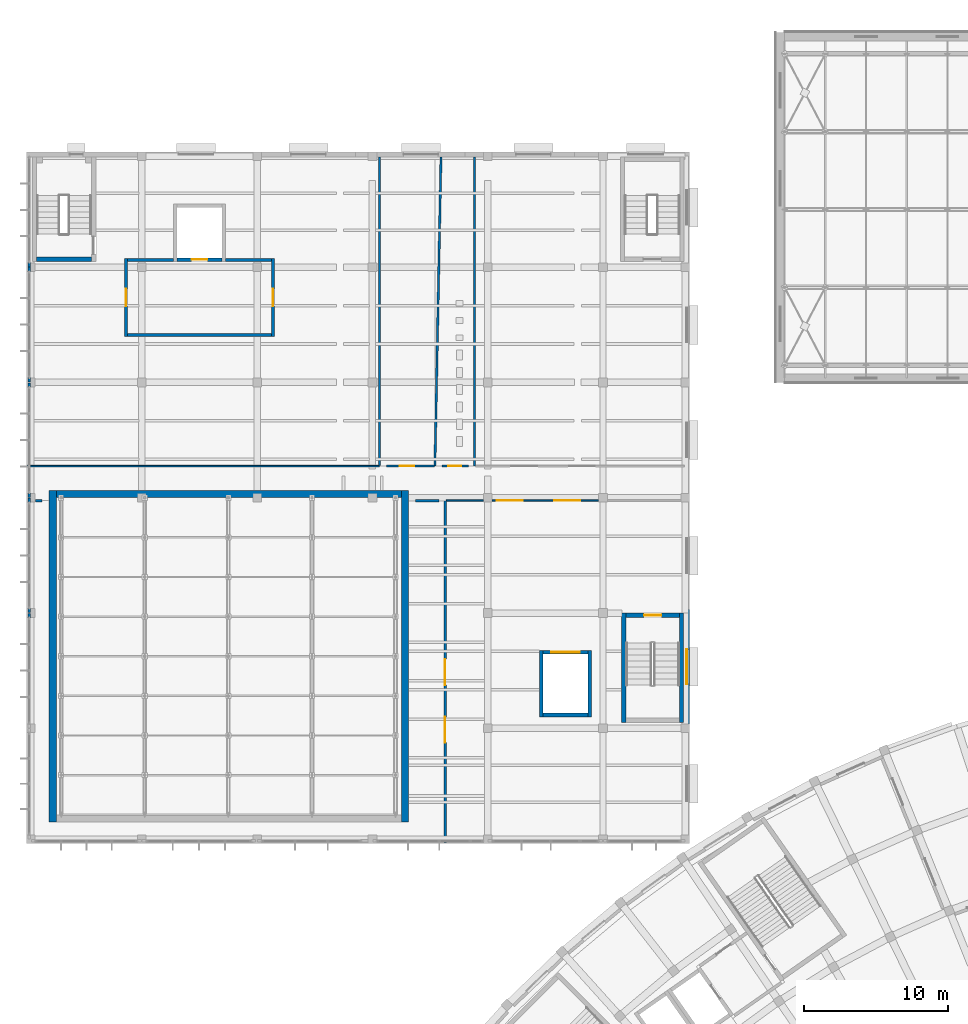
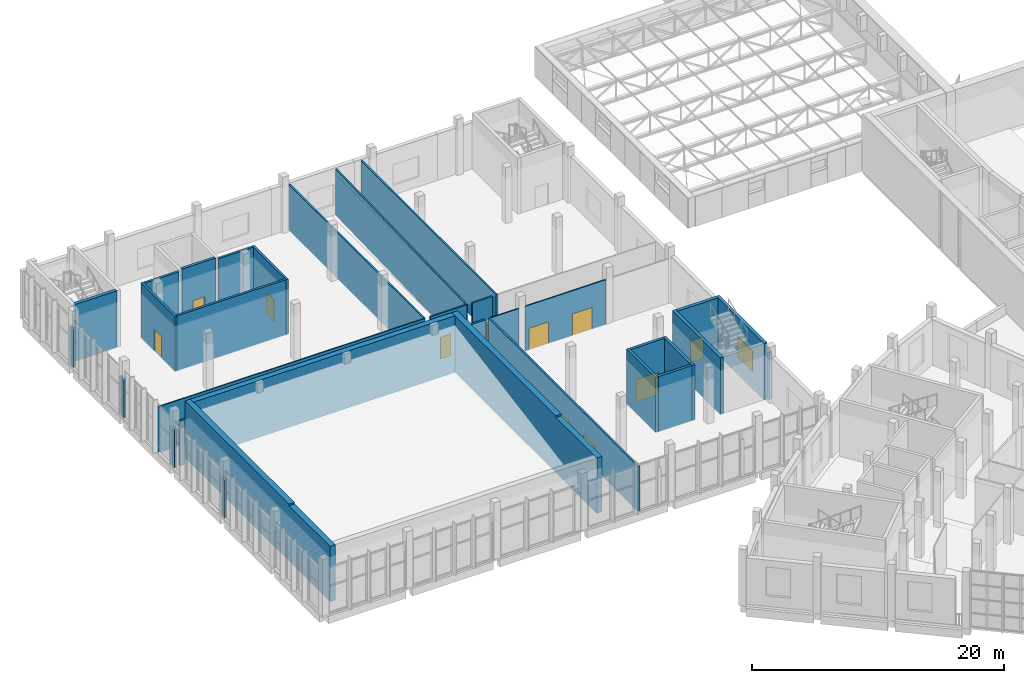
# One storey, part 73 of 132: 37 walls, 11 doors, 1 window, 12 openings.
"""IFC4 building model written with IfcOpenShell, lengths in metres."""

from ifc_helpers import new_model, si_unit, direction, frame, frame_2d, origin, place, context, subcontext, project, spatial, polyline, rectangle, outline, extrude, material, layer, layer_set, type_object, element, fill, save


model = new_model("IFC4")

# Units and contexts
model_context = context("Model", 3, precision=1e-05, world=origin(), true_north=direction((0.0, 1.0)))
body_context = subcontext(model_context, "Body", "Model", "MODEL_VIEW")
ifc_project = project(units=[si_unit("LENGTHUNIT", "METRE"), si_unit("AREAUNIT", "SQUARE_METRE"), si_unit("VOLUMEUNIT", "CUBIC_METRE"), si_unit("PLANEANGLEUNIT", "RADIAN"), si_unit("MASSUNIT", "GRAM", prefix="KILO")], contexts=[model_context])

# Site, building, storey
site_placement = place(None, origin())
site = spatial("IfcSite", under=ifc_project, at=site_placement, CompositionType="ELEMENT")
building_placement = place(site_placement, origin())
building = spatial("IfcBuilding", under=site, at=building_placement, Name="Lunette Opera House", CompositionType="ELEMENT")
storey_placement = place(building_placement, frame((0.0, 0.0, 17.0)))
storey = spatial("IfcBuildingStorey", under=building, at=storey_placement, Name="L03", CompositionType="ELEMENT", Elevation=17.0)

# Wall, openings, doors
ifc_material_1 = material(Name="Plastered clay blockwork", Category="masonry")
ifc_layer_1 = layer(ifc_material_1, 0.175048828125)
ifc_layer_set_1 = layer_set([ifc_layer_1], Name="Plastered clay blockwork")
wall_type_1 = type_object("IfcWallType", Name="ACOUSTIC BLOCK PARTITION 175", PredefinedType="PARTITIONING", material=ifc_layer_set_1)
wall_1_placement = place(storey_placement, frame((37.04296875, 87.800048828125, 0.0), z_axis=(0.0, 0.0, 1.0), x_axis=(0.0, -1.0, 0.0)))
wall_1 = element("IfcWall", 1, at=wall_1_placement, inside=storey, type_object=wall_type_1, Name="Partition Dancers' Warm-up Hall", PredefinedType="PARTITIONING", context=body_context, shape_type="SweptSolid", body=[
    extrude(rectangle(XDim=23.75, YDim=0.175048828125, at=frame_2d((11.875, 0.0))), origin(), (0.0, 0.0, 1.0), 4.35009765625),
])
opening_1_placement = place(wall_1_placement, frame((11.0, 0.0, 0.0)))
opening_1 = element("IfcOpeningElement", 2, at=opening_1_placement, cuts=wall_1, Name="Opening RW-D3036", PredefinedType="OPENING", context=body_context, shape_type="SweptSolid", body=[
    extrude(rectangle(XDim=1.800048828125, YDim=2.10009765625, at=frame_2d((0.89990234375, 1.050048828125))), frame((0.0, 0.099609375, 0.0), z_axis=(0.0, -1.0, 0.0), x_axis=(1.0, 0.0, 0.0)), (0.0, 0.0, 1.0), 0.198974609375),
])
opening_2_placement = place(wall_1_placement, frame((15.0, 0.0, 0.0)))
opening_2 = element("IfcOpeningElement", 3, at=opening_2_placement, cuts=wall_1, Name="Opening RW-D3037", PredefinedType="OPENING", context=body_context, shape_type="SweptSolid", body=[
    extrude(rectangle(XDim=1.800048828125, YDim=2.10009765625, at=frame_2d((0.89990234375, 1.050048828125))), frame((0.0, 0.099609375, 0.0), z_axis=(0.0, -1.0, 0.0), x_axis=(1.0, 0.0, 0.0)), (0.0, 0.0, 1.0), 0.198974609375),
])
ifc_material_2 = material(Name="Timber", Category="wood")
door_type_1 = type_object("IfcDoorType", Name="DOUBLE FLUSH DOOR 1800 X 2100", OperationType="DOUBLE_DOOR_SINGLE_SWING", PredefinedType="DOOR", material=ifc_material_2)
door_1_placement = place(opening_1_placement, origin())
door_1 = element("IfcDoor", 4, at=door_1_placement, inside=storey, type_object=door_type_1, Name="Orchestra Library door", OperationType="DOUBLE_DOOR_SINGLE_SWING", OverallHeight=2.10009765625, OverallWidth=1.800048828125, PredefinedType="DOOR", context=body_context, shape_type="SweptSolid", body=[
    extrude(rectangle(XDim=1.800048828125, YDim=2.10009765625, at=frame_2d((0.89990234375, 1.050048828125))), frame((0.0, 0.02490234375, 0.0), z_axis=(0.0, -1.0, 0.0), x_axis=(1.0, 0.0, 0.0)), (0.0, 0.0, 1.0), 0.050048828125),
])
fill(opening_1, door_1)
door_2_placement = place(opening_2_placement, origin())
door_2 = element("IfcDoor", 5, at=door_2_placement, inside=storey, type_object=door_type_1, Name="Orchestra Library door", OperationType="DOUBLE_DOOR_SINGLE_SWING", OverallHeight=2.10009765625, OverallWidth=1.800048828125, PredefinedType="DOOR", context=body_context, shape_type="SweptSolid", body=[
    extrude(rectangle(XDim=1.800048828125, YDim=2.10009765625, at=frame_2d((0.89990234375, 1.050048828125))), frame((0.0, 0.02490234375, 0.0), z_axis=(0.0, -1.0, 0.0), x_axis=(1.0, 0.0, 0.0)), (0.0, 0.0, 1.0), 0.050048828125),
])
fill(opening_2, door_2)

# Walls
wall_2_placement = place(storey_placement, frame((35.0, 87.800048828125, 0.0), z_axis=(0.0, 0.0, 1.0), x_axis=(1.0, 0.0, 0.0)))
element("IfcWall", 6, at=wall_2_placement, inside=storey, type_object=wall_type_1, Name="Partition Corridor L03 Rehearsal", PredefinedType="PARTITIONING", context=body_context, shape_type="SweptSolid", body=[
    extrude(rectangle(XDim=1.631103515625, YDim=0.175048828125, at=frame_2d((0.8154296875, 0.0))), origin(), (0.0, 0.0, 1.0), 4.35009765625),
])
wall_3_placement = place(storey_placement, frame((8.60107421875, 87.800048828125, 0.0), z_axis=(0.0, 0.0, 1.0), x_axis=(1.0, 0.0, 0.0)))
element("IfcWall", 7, at=wall_3_placement, inside=storey, type_object=wall_type_1, Name="Partition Corridor L03 Rehearsal", PredefinedType="PARTITIONING", context=body_context, shape_type="SweptSolid", body=[
    extrude(rectangle(XDim=0.458984375, YDim=0.175048828125, at=frame_2d((0.2294921875, 0.0))), origin(), (0.0, 0.0, 1.0), 4.35009765625),
])
ifc_material_3 = material(Name="Plastered clay blockwork", Category="masonry")
ifc_layer_2 = layer(ifc_material_3, 0.14990234375)
ifc_layer_set_2 = layer_set([ifc_layer_2], Name="Plastered clay blockwork")
wall_type_2 = type_object("IfcWallType", Name="BLOCK PARTITION 150", PredefinedType="PARTITIONING", material=ifc_layer_set_2)
wall_4_placement = place(storey_placement, frame((32.48095703125, 111.634033203125, 0.0), z_axis=(0.0, 0.0, 1.0), x_axis=(0.0, -1.0, 0.0)))
element("IfcWall", 8, at=wall_4_placement, inside=storey, type_object=wall_type_2, Name="Partition Rehearsal Wing Staff Kitchen", PredefinedType="PARTITIONING", context=body_context, shape_type="SweptSolid", body=[
    extrude(rectangle(XDim=21.383056640625, YDim=0.14990234375, at=frame_2d((10.69140625, 0.0))), origin(), (0.0, 0.0, 1.0), 4.449951171875),
])
wall_5_placement = place(storey_placement, frame((36.3349609375, 90.199951171875, 0.0), z_axis=(0.0, 0.0, 1.0), x_axis=(0.019644475983, 0.999807028663, 0.0)))
element("IfcWall", 9, at=wall_5_placement, inside=storey, type_object=wall_type_2, Name="Partition Rehearsal Wing Staff Kitchen", PredefinedType="PARTITIONING", context=body_context, shape_type="SweptSolid", body=[
    extrude(rectangle(XDim=21.438232421875, YDim=0.14990234375, at=frame_2d((10.71923828125, 0.0))), origin(), (0.0, 0.0, 1.0), 4.449951171875),
])
wall_6_placement = place(storey_placement, frame((39.087890625, 90.199951171875, 0.0), z_axis=(0.0, 0.0, 1.0), x_axis=(0.0, 1.0, 0.0)))
element("IfcWall", 10, at=wall_6_placement, inside=storey, type_object=wall_type_2, Name="Partition Rehearsal Wing WC L03", PredefinedType="PARTITIONING", context=body_context, shape_type="SweptSolid", body=[
    extrude(rectangle(XDim=21.43408203125, YDim=0.14990234375, at=frame_2d((10.717041015625, 0.0))), origin(), (0.0, 0.0, 1.0), 4.449951171875),
])

# Wall, opening, door
wall_7_placement = place(storey_placement, frame((32.98095703125, 90.199951171875, 0.0), z_axis=(0.0, 0.0, 1.0), x_axis=(1.0, 0.0, 0.0)))
wall_7 = element("IfcWall", 11, at=wall_7_placement, inside=storey, type_object=wall_type_2, Name="Partition Rehearsal Wing Staff Kitchen", PredefinedType="PARTITIONING", context=body_context, shape_type="SweptSolid", body=[
    extrude(rectangle(XDim=3.3291015625, YDim=0.14990234375, at=frame_2d((1.66455078125, 0.0))), origin(), (0.0, 0.0, 1.0), 4.449951171875),
])
opening_3_placement = place(wall_7_placement, frame((0.927001953125, 0.0, 0.0)))
opening_3 = element("IfcOpeningElement", 12, at=opening_3_placement, cuts=wall_7, Name="Opening RW-D3038", PredefinedType="OPENING", context=body_context, shape_type="SweptSolid", body=[
    extrude(rectangle(XDim=1.0, YDim=2.10009765625, at=frame_2d((0.5, 1.050048828125))), frame((0.0, 0.0869140625, 0.0), z_axis=(0.0, -1.0, 0.0), x_axis=(1.0, 0.0, 0.0)), (0.0, 0.0, 1.0), 0.173828125),
])
ifc_material_4 = material(Name="Timber", Category="wood")
door_type_2 = type_object("IfcDoorType", Name="FLUSH DOOR 1000 X 2100", OperationType="SINGLE_SWING_LEFT", PredefinedType="DOOR", material=ifc_material_4)
door_3_placement = place(opening_3_placement, origin())
door_3 = element("IfcDoor", 13, at=door_3_placement, inside=storey, type_object=door_type_2, Name="Rehearsal Wing Staff Kitchen door", OperationType="SINGLE_SWING_LEFT", OverallHeight=2.10009765625, OverallWidth=1.0, PredefinedType="DOOR", context=body_context, shape_type="SweptSolid", body=[
    extrude(rectangle(XDim=1.0, YDim=2.10009765625, at=frame_2d((0.5, 1.050048828125))), frame((0.0, 0.02490234375, 0.0), z_axis=(0.0, -1.0, 0.0), x_axis=(1.0, 0.0, 0.0)), (0.0, 0.0, 1.0), 0.050048828125),
])
fill(opening_3, door_3)

wall_8_placement = place(storey_placement, frame((36.81005859375, 90.199951171875, 0.0), z_axis=(0.0, 0.0, 1.0), x_axis=(1.0, 0.0, 0.0)))
wall_8 = element("IfcWall", 14, at=wall_8_placement, inside=storey, type_object=wall_type_2, Name="Partition Rehearsal Wing WC L03", PredefinedType="PARTITIONING", context=body_context, shape_type="SweptSolid", body=[
    extrude(rectangle(XDim=1.85400390625, YDim=0.14990234375, at=frame_2d((0.927001953125, 0.0))), origin(), (0.0, 0.0, 1.0), 4.449951171875),
])
opening_4_placement = place(wall_8_placement, frame((0.450927734375, 0.0, 0.0)))
opening_4 = element("IfcOpeningElement", 15, at=opening_4_placement, cuts=wall_8, Name="Opening RW-D3039", PredefinedType="OPENING", context=body_context, shape_type="SweptSolid", body=[
    extrude(rectangle(XDim=0.89990234375, YDim=2.10009765625, at=frame_2d((0.449951171875, 1.050048828125))), frame((0.0, 0.0869140625, 0.0), z_axis=(0.0, -1.0, 0.0), x_axis=(1.0, 0.0, 0.0)), (0.0, 0.0, 1.0), 0.173828125),
])
ifc_material_5 = material(Name="Timber", Category="wood")
door_type_3 = type_object("IfcDoorType", Name="FLUSH DOOR 900 X 2100", OperationType="SINGLE_SWING_LEFT", PredefinedType="DOOR", material=ifc_material_5)
door_4_placement = place(opening_4_placement, origin())
door_4 = element("IfcDoor", 16, at=door_4_placement, inside=storey, type_object=door_type_3, Name="Rehearsal Wing WC L03 door", OperationType="SINGLE_SWING_LEFT", OverallHeight=2.10009765625, OverallWidth=0.89990234375, PredefinedType="DOOR", context=body_context, shape_type="SweptSolid", body=[
    extrude(rectangle(XDim=0.89990234375, YDim=2.10009765625, at=frame_2d((0.449951171875, 1.050048828125))), frame((0.0, 0.02490234375, 0.0), z_axis=(0.0, -1.0, 0.0), x_axis=(1.0, 0.0, 0.0)), (0.0, 0.0, 1.0), 0.050048828125),
])
fill(opening_4, door_4)

# Walls
ifc_material_6 = material(Name="Insulated aluminium sandwich panel", Category="aluminium")
ifc_layer_3 = layer(ifc_material_6, 0.179931640625)
ifc_layer_set_3 = layer_set([ifc_layer_3], Name="Insulated aluminium sandwich panel")
wall_type_3 = type_object("IfcWallType", Name="CURTAIN WALL INFILL 180", PredefinedType="SOLIDWALL", material=ifc_layer_set_3)
for number, where, z_axis, x_axis, name in (
    (17, (8.181884765625, 104.330078125, 0.0), (0.0, 0.0, 1.0), (0.0, -1.0, 0.0), "Curtain Wall Infill 180 IN85 L03"),
    (18, (8.181884765625, 96.330078125, 0.0), (0.0, 0.0, 1.0), (0.0, -1.0, 0.0), "Curtain Wall Infill 180 IN86 L03"),
):
    element("IfcWall", number, at=place(storey_placement, frame(where, z_axis=z_axis, x_axis=x_axis)), inside=storey, type_object=wall_type_3, Name=name, PredefinedType="SOLIDWALL", context=body_context, shape_type="SweptSolid", body=[
        extrude(rectangle(XDim=0.30517578125, YDim=0.179931640625, at=frame_2d((0.152587890625, 0.0))), origin(), (0.0, 0.0, 1.0), 3.699951171875),
    ])
wall_9_placement = place(storey_placement, frame((8.181884765625, 103.696044921875, 0.0), z_axis=(0.0, 0.0, 1.0), x_axis=(0.0, 1.0, 0.0)))
element("IfcWall", 19, at=wall_9_placement, inside=storey, type_object=wall_type_3, Name="Curtain Wall Infill 180 IN87 L03", PredefinedType="SOLIDWALL", context=body_context, shape_type="SweptSolid", body=[
    extrude(rectangle(XDim=0.304931640625, YDim=0.179931640625, at=frame_2d((0.15234375, 0.0))), origin(), (0.0, 0.0, 1.0), 3.699951171875),
])
for number, where, z_axis, x_axis, name in (
    (20, (8.181884765625, 88.330078125, 0.0), (0.0, 0.0, 1.0), (0.0, -1.0, 0.0), "Curtain Wall Infill 180 IN88 L03"),
    (21, (8.181884765625, 95.669921875, 0.0), (0.0, 0.0, 1.0), (0.0, 1.0, 0.0), "Curtain Wall Infill 180 IN89 L03"),
    (22, (8.181884765625, 80.330078125, 0.0), (0.0, 0.0, 1.0), (0.0, -1.0, 0.0), "Curtain Wall Infill 180 IN90 L03"),
    (23, (8.181884765625, 87.669921875, 0.0), (0.0, 0.0, 1.0), (0.0, 1.0, 0.0), "Curtain Wall Infill 180 IN91 L03"),
    (24, (8.181884765625, 79.669921875, 0.0), (0.0, 0.0, 1.0), (0.0, 1.0, 0.0), "Curtain Wall Infill 180 IN93 L03"),
):
    element("IfcWall", number, at=place(storey_placement, frame(where, z_axis=z_axis, x_axis=x_axis)), inside=storey, type_object=wall_type_3, Name=name, PredefinedType="SOLIDWALL", context=body_context, shape_type="SweptSolid", body=[
        extrude(rectangle(XDim=0.30517578125, YDim=0.179931640625, at=frame_2d((0.152587890625, 0.0))), origin(), (0.0, 0.0, 1.0), 3.699951171875),
    ])

# Wall, opening, door
ifc_material_7 = material(Name="Concrete C35/45", Category="concrete")
ifc_layer_4 = layer(ifc_material_7, 0.199951171875)
ifc_layer_set_4 = layer_set([ifc_layer_4], Name="Concrete C35/45")
wall_type_4 = type_object("IfcWallType", Name="LOBBY WALL 200", PredefinedType="PARTITIONING", material=ifc_layer_set_4)
wall_10_placement = place(storey_placement, frame((25.10009765625, 99.199951171875, 0.0), z_axis=(0.0, 0.0, 1.0), x_axis=(0.0, 1.0, 0.0)))
wall_10 = element("IfcWall", 25, at=wall_10_placement, inside=storey, type_object=wall_type_4, Name="LL-R lobby wall 1a", PredefinedType="PARTITIONING", context=body_context, shape_type="SweptSolid", body=[
    extrude(rectangle(XDim=5.400146484375, YDim=0.199951171875, at=frame_2d((2.7001953125, 0.0))), origin(), (0.0, 0.0, 1.0), 5.35009765625),
])
opening_5_placement = place(wall_10_placement, frame((2.10009765625, 0.0, 0.0)))
opening_5 = element("IfcOpeningElement", 26, at=opening_5_placement, cuts=wall_10, Name="Opening RW-D7025", PredefinedType="OPENING", context=body_context, shape_type="SweptSolid", body=[
    extrude(rectangle(XDim=1.199951171875, YDim=2.10009765625, at=frame_2d((0.60009765625, 1.050048828125))), frame((0.0, 0.112060546875, 0.0), z_axis=(0.0, -1.0, 0.0), x_axis=(1.0, 0.0, 0.0)), (0.0, 0.0, 1.0), 0.223876953125),
])
ifc_material_8 = material(Name="Steel", Category="steel")
door_type_4 = type_object("IfcDoorType", Name="FIRE DOOR 1200 X 2100", OperationType="SINGLE_SWING_LEFT", PredefinedType="DOOR", material=ifc_material_8)
door_5_placement = place(opening_5_placement, origin())
door_5 = element("IfcDoor", 27, at=door_5_placement, inside=storey, type_object=door_type_4, Name="LL-R lobby door", OperationType="SINGLE_SWING_LEFT", OverallHeight=2.10009765625, OverallWidth=1.199951171875, PredefinedType="DOOR", context=body_context, shape_type="SweptSolid", body=[
    extrude(rectangle(XDim=1.199951171875, YDim=2.10009765625, at=frame_2d((0.60009765625, 1.050048828125))), frame((0.0, 0.02490234375, 0.0), z_axis=(0.0, -1.0, 0.0), x_axis=(1.0, 0.0, 0.0)), (0.0, 0.0, 1.0), 0.050048828125),
])
fill(opening_5, door_5)

# Walls
for number, where, z_axis, x_axis, name in (
    (28, (25.0, 104.5, 0.0), (0.0, 0.0, 1.0), (-1.0, 0.0, 0.0), "LL-R lobby wall 2a"),
    (29, (18.179931640625, 104.5, 0.0), (0.0, 0.0, 1.0), (-1.0, 0.0, 0.0), "LL-R lobby wall 2b"),
):
    element("IfcWall", number, at=place(storey_placement, frame(where, z_axis=z_axis, x_axis=x_axis)), inside=storey, type_object=wall_type_4, Name=name, PredefinedType="PARTITIONING", context=body_context, shape_type="SweptSolid", body=[
        extrude(rectangle(XDim=3.179931640625, YDim=0.199951171875, at=frame_2d((1.58984375, 0.0))), origin(), (0.0, 0.0, 1.0), 5.35009765625),
    ])

# Wall, opening, door
wall_11_placement = place(storey_placement, frame((14.89990234375, 104.60009765625, 0.0), z_axis=(0.0, 0.0, 1.0), x_axis=(0.0, -1.0, 0.0)))
wall_11 = element("IfcWall", 30, at=wall_11_placement, inside=storey, type_object=wall_type_4, Name="LL-R lobby wall 3a", PredefinedType="PARTITIONING", context=body_context, shape_type="SweptSolid", body=[
    extrude(rectangle(XDim=5.400146484375, YDim=0.199951171875, at=frame_2d((2.7001953125, 0.0))), origin(), (0.0, 0.0, 1.0), 5.35009765625),
])
opening_6_placement = place(wall_11_placement, frame((2.10009765625, 0.0, 0.0)))
opening_6 = element("IfcOpeningElement", 31, at=opening_6_placement, cuts=wall_11, Name="Opening RW-D7026", PredefinedType="OPENING", context=body_context, shape_type="SweptSolid", body=[
    extrude(rectangle(XDim=1.199951171875, YDim=2.10009765625, at=frame_2d((0.60009765625, 1.050048828125))), frame((0.0, 0.112060546875, 0.0), z_axis=(0.0, -1.0, 0.0), x_axis=(1.0, 0.0, 0.0)), (0.0, 0.0, 1.0), 0.223876953125),
])
door_6_placement = place(opening_6_placement, origin())
door_6 = element("IfcDoor", 32, at=door_6_placement, inside=storey, type_object=door_type_4, Name="LL-R lobby door", OperationType="SINGLE_SWING_LEFT", OverallHeight=2.10009765625, OverallWidth=1.199951171875, PredefinedType="DOOR", context=body_context, shape_type="SweptSolid", body=[
    extrude(rectangle(XDim=1.199951171875, YDim=2.10009765625, at=frame_2d((0.60009765625, 1.050048828125))), frame((0.0, 0.02490234375, 0.0), z_axis=(0.0, -1.0, 0.0), x_axis=(1.0, 0.0, 0.0)), (0.0, 0.0, 1.0), 0.050048828125),
])
fill(opening_6, door_6)

# Wall
wall_12_placement = place(storey_placement, frame((15.0, 99.300048828125, 0.0), z_axis=(0.0, 0.0, 1.0), x_axis=(1.0, 0.0, 0.0)))
element("IfcWall", 33, at=wall_12_placement, inside=storey, type_object=wall_type_4, Name="LL-R lobby wall 4a", PredefinedType="PARTITIONING", context=body_context, shape_type="SweptSolid", body=[
    extrude(rectangle(XDim=10.0, YDim=0.199951171875, at=frame_2d((5.0, 0.0))), origin(), (0.0, 0.0, 1.0), 5.35009765625),
])

# Wall, opening, door
ifc_material_9 = material(Name="Concrete C35/45", Category="concrete")
ifc_layer_5 = layer(ifc_material_9, 0.25)
ifc_layer_set_5 = layer_set([ifc_layer_5], Name="Concrete C35/45")
wall_type_5 = type_object("IfcWallType", Name="RC LIFT SHAFT WALL 250", PredefinedType="SOLIDWALL", material=ifc_layer_set_5)
wall_13_placement = place(storey_placement, frame((18.449951171875, 104.52490234375, 0.0), z_axis=(0.0, 0.0, 1.0), x_axis=(1.0, 0.0, 0.0)))
wall_13 = element("IfcWall", 34, at=wall_13_placement, inside=storey, type_object=wall_type_5, Name="LF5 shaft wall 4", PredefinedType="SOLIDWALL", context=body_context, shape_type="SweptSolid", body=[
    extrude(rectangle(XDim=3.10009765625, YDim=0.25, at=frame_2d((1.550048828125, 0.0))), origin(), (0.0, 0.0, 1.0), 5.5),
])
opening_7_placement = place(wall_13_placement, frame((1.0, 0.0, 0.0)))
opening_7 = element("IfcOpeningElement", 35, at=opening_7_placement, cuts=wall_13, Name="Opening RW-LD005", PredefinedType="OPENING", context=body_context, shape_type="SweptSolid", body=[
    extrude(rectangle(XDim=1.10009765625, YDim=2.10009765625, at=frame_2d((0.550048828125, 1.050048828125))), frame((0.0, 0.136962890625, 0.0), z_axis=(0.0, -1.0, 0.0), x_axis=(1.0, 0.0, 0.0)), (0.0, 0.0, 1.0), 0.27392578125),
])
ifc_material_10 = material(Name="Stainless steel", Category="steel")
door_type_5 = type_object("IfcDoorType", Name="LIFT LANDING DOOR 1100 X 2100", OperationType="DOUBLE_DOOR_SLIDING", PredefinedType="DOOR", material=ifc_material_10)
door_7_placement = place(opening_7_placement, origin())
door_7 = element("IfcDoor", 36, at=door_7_placement, inside=storey, type_object=door_type_5, Name="LF5 lift landing door", OperationType="DOUBLE_DOOR_SLIDING", OverallHeight=2.10009765625, OverallWidth=1.10009765625, PredefinedType="DOOR", context=body_context, shape_type="SweptSolid", body=[
    extrude(rectangle(XDim=1.10009765625, YDim=2.10009765625, at=frame_2d((0.550048828125, 1.050048828125))), frame((0.0, 0.02490234375, 0.0), z_axis=(0.0, -1.0, 0.0), x_axis=(1.0, 0.0, 0.0)), (0.0, 0.0, 1.0), 0.050048828125),
])
fill(opening_7, door_7)

# Wall
wall_14_placement = place(storey_placement, frame((47.074951171875, 72.800048828125, 0.0), z_axis=(0.0, 0.0, 1.0), x_axis=(0.0, 1.0, 0.0)))
element("IfcWall", 37, at=wall_14_placement, inside=storey, type_object=wall_type_5, Name="LG1 shaft wall 1", PredefinedType="SOLIDWALL", context=body_context, shape_type="SweptSolid", body=[
    extrude(rectangle(XDim=4.599853515625, YDim=0.25, at=frame_2d((2.2998046875, 0.0))), origin(), (0.0, 0.0, 1.0), 5.35009765625),
])

# Wall, opening, door
wall_15_placement = place(storey_placement, frame((46.949951171875, 77.27490234375, 0.0), z_axis=(0.0, 0.0, 1.0), x_axis=(-1.0, 0.0, 0.0)))
wall_15 = element("IfcWall", 38, at=wall_15_placement, inside=storey, type_object=wall_type_5, Name="LG1 shaft wall 2", PredefinedType="SOLIDWALL", context=body_context, shape_type="SweptSolid", body=[
    extrude(rectangle(XDim=3.099853515625, YDim=0.25, at=frame_2d((1.5498046875, 0.0))), origin(), (0.0, 0.0, 1.0), 5.35009765625),
])
opening_8_placement = place(wall_15_placement, frame((0.550048828125, 0.0, 0.0)))
opening_8 = element("IfcOpeningElement", 39, at=opening_8_placement, cuts=wall_15, Name="Opening RW-LD011", PredefinedType="OPENING", context=body_context, shape_type="SweptSolid", body=[
    extrude(rectangle(XDim=2.0, YDim=2.199951171875, at=frame_2d((1.0, 1.10009765625))), frame((0.0, 0.136962890625, 0.0), z_axis=(0.0, -1.0, 0.0), x_axis=(1.0, 0.0, 0.0)), (0.0, 0.0, 1.0), 0.27392578125),
])
ifc_material_11 = material(Name="Stainless steel", Category="steel")
door_type_6 = type_object("IfcDoorType", Name="LIFT LANDING DOOR 2000 X 2200", OperationType="DOUBLE_DOOR_SLIDING", PredefinedType="DOOR", material=ifc_material_11)
door_8_placement = place(opening_8_placement, origin())
door_8 = element("IfcDoor", 40, at=door_8_placement, inside=storey, type_object=door_type_6, Name="LG1 lift landing door", OperationType="DOUBLE_DOOR_SLIDING", OverallHeight=2.199951171875, OverallWidth=2.0, PredefinedType="DOOR", context=body_context, shape_type="SweptSolid", body=[
    extrude(rectangle(XDim=2.0, YDim=2.199951171875, at=frame_2d((1.0, 1.10009765625))), frame((0.0, 0.02490234375, 0.0), z_axis=(0.0, -1.0, 0.0), x_axis=(1.0, 0.0, 0.0)), (0.0, 0.0, 1.0), 0.050048828125),
])
fill(opening_8, door_8)

# Walls
wall_16_placement = place(storey_placement, frame((43.72509765625, 77.39990234375, 0.0), z_axis=(0.0, 0.0, 1.0), x_axis=(0.0, -1.0, 0.0)))
element("IfcWall", 41, at=wall_16_placement, inside=storey, type_object=wall_type_5, Name="LG1 shaft wall 3", PredefinedType="SOLIDWALL", context=body_context, shape_type="SweptSolid", body=[
    extrude(rectangle(XDim=4.599853515625, YDim=0.25, at=frame_2d((2.2998046875, 0.0))), origin(), (0.0, 0.0, 1.0), 5.35009765625),
])
wall_17_placement = place(storey_placement, frame((43.85009765625, 72.925048828125, 0.0), z_axis=(0.0, 0.0, 1.0), x_axis=(1.0, 0.0, 0.0)))
element("IfcWall", 42, at=wall_17_placement, inside=storey, type_object=wall_type_5, Name="LG1 shaft wall 4", PredefinedType="SOLIDWALL", context=body_context, shape_type="SweptSolid", body=[
    extrude(rectangle(XDim=3.099853515625, YDim=0.25, at=frame_2d((1.5498046875, 0.0))), origin(), (0.0, 0.0, 1.0), 5.35009765625),
])
ifc_material_12 = material(Name="Concrete C35/45", Category="concrete")
ifc_layer_6 = layer(ifc_material_12, 0.300048828125)
ifc_layer_set_6 = layer_set([ifc_layer_6], Name="Concrete C35/45")
wall_type_6 = type_object("IfcWallType", Name="RC STAIR ENCLOSURE WALL 300", PredefinedType="SOLIDWALL", material=ifc_layer_set_6)
wall_18_placement = place(storey_placement, frame((8.699951171875, 104.550048828125, 0.0), z_axis=(0.0, 0.0, 1.0), x_axis=(1.0, 0.0, 0.0)))
element("IfcWall", 43, at=wall_18_placement, inside=storey, type_object=wall_type_6, Name="ST15 enclosure wall 4", PredefinedType="SOLIDWALL", context=body_context, shape_type="SweptSolid", body=[
    extrude(rectangle(XDim=3.800048828125, YDim=0.300048828125, at=frame_2d((1.89990234375, 0.0))), origin(), (0.0, 0.0, 1.0), 5.5),
])
wall_19_placement = place(storey_placement, frame((53.449951171875, 72.39990234375, 0.0), z_axis=(0.0, 0.0, 1.0), x_axis=(0.0, 1.0, 0.0)))
element("IfcWall", 44, at=wall_19_placement, inside=storey, type_object=wall_type_6, Name="ST16 enclosure wall 1", PredefinedType="SOLIDWALL", context=body_context, shape_type="SweptSolid", body=[
    extrude(rectangle(XDim=7.60009765625, YDim=0.300048828125, at=frame_2d((3.800048828125, 0.0))), origin(), (0.0, 0.0, 1.0), 5.5),
])

# Wall, opening, door
wall_20_placement = place(storey_placement, frame((53.300048828125, 79.85009765625, 0.0), z_axis=(0.0, 0.0, 1.0), x_axis=(-1.0, 0.0, 0.0)))
wall_20 = element("IfcWall", 45, at=wall_20_placement, inside=storey, type_object=wall_type_6, Name="ST16 enclosure wall 2", PredefinedType="SOLIDWALL", context=body_context, shape_type="SweptSolid", body=[
    extrude(rectangle(XDim=3.699951171875, YDim=0.300048828125, at=frame_2d((1.85009765625, 0.0))), origin(), (0.0, 0.0, 1.0), 5.5),
])
opening_9_placement = place(wall_20_placement, frame((1.25, 0.0, 0.0)))
opening_9 = element("IfcOpeningElement", 46, at=opening_9_placement, cuts=wall_20, Name="Opening RW-D7011", PredefinedType="OPENING", context=body_context, shape_type="SweptSolid", body=[
    extrude(rectangle(XDim=1.199951171875, YDim=2.10009765625, at=frame_2d((0.60009765625, 1.050048828125))), frame((0.0, 0.162109375, 0.0), z_axis=(0.0, -1.0, 0.0), x_axis=(1.0, 0.0, 0.0)), (0.0, 0.0, 1.0), 0.323974609375),
])
door_9_placement = place(opening_9_placement, origin())
door_9 = element("IfcDoor", 47, at=door_9_placement, inside=storey, type_object=door_type_4, Name="ST16 stair door", OperationType="SINGLE_SWING_LEFT", OverallHeight=2.10009765625, OverallWidth=1.199951171875, PredefinedType="DOOR", context=body_context, shape_type="SweptSolid", body=[
    extrude(rectangle(XDim=1.199951171875, YDim=2.10009765625, at=frame_2d((0.60009765625, 1.050048828125))), frame((0.0, 0.02490234375, 0.0), z_axis=(0.0, -1.0, 0.0), x_axis=(1.0, 0.0, 0.0)), (0.0, 0.0, 1.0), 0.050048828125),
])
fill(opening_9, door_9)

# Walls
wall_21_placement = place(storey_placement, frame((49.449951171875, 80.0, 0.0), z_axis=(0.0, 0.0, 1.0), x_axis=(0.0, -1.0, 0.0)))
element("IfcWall", 48, at=wall_21_placement, inside=storey, type_object=wall_type_6, Name="ST16 enclosure wall 3", PredefinedType="SOLIDWALL", context=body_context, shape_type="SweptSolid", body=[
    extrude(rectangle(XDim=7.60009765625, YDim=0.300048828125, at=frame_2d((3.800048828125, 0.0))), origin(), (0.0, 0.0, 1.0), 5.5),
])
ifc_material_13 = material(Name="Concrete C35/45", Category="concrete")
ifc_layer_7 = layer(ifc_material_13, 0.5)
ifc_layer_set_7 = layer_set([ifc_layer_7], Name="Concrete C35/45")
wall_type_7 = type_object("IfcWallType", Name="RC WALL 500", PredefinedType="SHEAR", material=ifc_layer_set_7)
wall_22_placement = place(storey_placement, frame((9.56005859375, 88.25, 0.0), z_axis=(0.0, 0.0, 1.0), x_axis=(1.0, 0.0, 0.0)))
element("IfcWall", 49, at=wall_22_placement, inside=storey, type_object=wall_type_7, Name="wall-RW-L03-HW-N-1", PredefinedType="SHEAR", context=body_context, shape_type="SweptSolid", body=[
    extrude(rectangle(XDim=24.93994140625, YDim=0.5, at=frame_2d((12.469970703125, 0.0))), origin(), (0.0, 0.0, 1.0), 5.5),
])
for number, where, z_axis, x_axis, name in (
    (50, (9.81005859375, 65.5, 0.0), (0.0, 0.0, 1.0), (0.0, 1.0, 0.0), "wall-RW-L03-HW-W-1"),
    (51, (34.25, 65.5, 0.0), (0.0, 0.0, 1.0), (0.0, 1.0, 0.0), "wall-RW-L03-HW-E-1"),
):
    element("IfcWall", number, at=place(storey_placement, frame(where, z_axis=z_axis, x_axis=x_axis)), inside=storey, type_object=wall_type_7, Name=name, PredefinedType="SHEAR", context=body_context, shape_type="SweptSolid", body=[
        extrude(outline(polyline([(0.0, 0.0), (23.0, 0.0), (23.0, 5.5), (6.5009765625, 5.5), (6.5, 5.5), (6.5, 5.35009765625), (0.0, 5.35009765625), (0.0, 0.0)])), frame((0.0, 0.25, 0.0), z_axis=(0.0, -1.0, 0.0), x_axis=(1.0, 0.0, 0.0)), (0.0, 0.0, 1.0), 0.5),
    ])

# Wall, opening, window
ifc_material_14 = material(Name="Clinker brick", Category="masonry")
ifc_layer_8 = layer(ifc_material_14, 0.364990234375)
ifc_layer_set_8 = layer_set([ifc_layer_8], Name="Clinker brick")
wall_type_8 = type_object("IfcWallType", Name="REHEARSAL BRICK WALL 365", PredefinedType="SOLIDWALL", material=ifc_layer_set_8)
wall_23_placement = place(storey_placement, frame((53.818115234375, 72.303955078125, 0.0), z_axis=(0.0, 0.0, 1.0), x_axis=(0.0, 1.0, 0.0)))
wall_23 = element("IfcWall", 52, at=wall_23_placement, inside=storey, type_object=wall_type_8, Name="Rehearsal Brick Wall 365 F02 L03", PredefinedType="SOLIDWALL", context=body_context, shape_type="SweptSolid", body=[
    extrude(rectangle(XDim=7.93896484375, YDim=0.364990234375, at=frame_2d((3.969482421875, 0.0))), origin(), (0.0, 0.0, 1.0), 4.550048828125),
])
opening_10_placement = place(wall_23_placement, frame((2.76904296875, 0.0, 1.0)))
opening_10 = element("IfcOpeningElement", 53, at=opening_10_placement, cuts=wall_23, Name="Opening RW-N2038", PredefinedType="OPENING", context=body_context, shape_type="SweptSolid", body=[
    extrude(rectangle(XDim=2.39990234375, YDim=2.0, at=frame_2d((1.199951171875, 1.0))), frame((0.0, 0.194580078125, 0.0), z_axis=(0.0, -1.0, 0.0), x_axis=(1.0, 0.0, 0.0)), (0.0, 0.0, 1.0), 0.388916015625),
])
ifc_material_15 = material(Name="Aluminium", Category="aluminium")
window_type = type_object("IfcWindowType", Name="REHEARSAL WINDOW 2400 X 2000", PartitioningType="DOUBLE_PANEL_VERTICAL", PredefinedType="WINDOW", material=ifc_material_15)
window_placement = place(opening_10_placement, origin())
window = element("IfcWindow", 54, at=window_placement, inside=storey, type_object=window_type, Name="Rehearsal Window 2400 X 2000 F02 L03", OverallHeight=2.0, OverallWidth=2.39990234375, PartitioningType="DOUBLE_PANEL_VERTICAL", PredefinedType="WINDOW", context=body_context, shape_type="SweptSolid", body=[
    extrude(rectangle(XDim=2.39990234375, YDim=2.0, at=frame_2d((1.199951171875, 1.0))), frame((0.0, 0.030029296875, 0.0), z_axis=(0.0, -1.0, 0.0), x_axis=(1.0, 0.0, 0.0)), (0.0, 0.0, 1.0), 0.06005859375),
])
fill(opening_10, window)

# Walls
ifc_material_16 = material(Name="Gypsum board on steel studs", Category="steel")
ifc_layer_9 = layer(ifc_material_16, 0.10009765625)
ifc_layer_set_9 = layer_set([ifc_layer_9], Name="Gypsum board on steel studs")
wall_type_9 = type_object("IfcWallType", Name="STUD PARTITION 100", PredefinedType="PARTITIONING", material=ifc_layer_set_9)
wall_24_placement = place(storey_placement, frame((32.48095703125, 90.199951171875, 0.0), z_axis=(0.0, 0.0, 1.0), x_axis=(-1.0, 0.0, 0.0)))
element("IfcWall", 55, at=wall_24_placement, inside=storey, type_object=wall_type_9, Name="Partition Corridor L03 Rehearsal", PredefinedType="PARTITIONING", context=body_context, shape_type="SweptSolid", body=[
    extrude(rectangle(XDim=24.430908203125, YDim=0.10009765625, at=frame_2d((12.21533203125, 0.0))), origin(), (0.0, 0.0, 1.0), 4.449951171875),
])
wall_25_placement = place(storey_placement, frame((37.131103515625, 87.800048828125, 0.0), z_axis=(0.0, 0.0, 1.0), x_axis=(1.0, 0.0, 0.0)))
element("IfcWall", 56, at=wall_25_placement, inside=storey, type_object=wall_type_9, Name="Partition Corridor L03 Rehearsal", PredefinedType="PARTITIONING", context=body_context, shape_type="SweptSolid", body=[
    extrude(rectangle(XDim=2.56884765625, YDim=0.10009765625, at=frame_2d((1.284423828125, 0.0))), origin(), (0.0, 0.0, 1.0), 4.35009765625),
])

# Wall, openings, doors
wall_26_placement = place(storey_placement, frame((40.300048828125, 87.800048828125, 0.0), z_axis=(0.0, 0.0, 1.0), x_axis=(1.0, 0.0, 0.0)))
wall_26 = element("IfcWall", 57, at=wall_26_placement, inside=storey, type_object=wall_type_9, Name="Partition Corridor L03 Rehearsal", PredefinedType="PARTITIONING", context=body_context, shape_type="SweptSolid", body=[
    extrude(rectangle(XDim=7.39990234375, YDim=0.10009765625, at=frame_2d((3.699951171875, 0.0))), origin(), (0.0, 0.0, 1.0), 4.35009765625),
])
opening_11_placement = place(wall_26_placement, frame((4.322021484375, 0.0, 0.0)))
opening_11 = element("IfcOpeningElement", 58, at=opening_11_placement, cuts=wall_26, Name="Opening RW-D3040", PredefinedType="OPENING", context=body_context, shape_type="SweptSolid", body=[
    extrude(rectangle(XDim=1.800048828125, YDim=2.10009765625, at=frame_2d((0.89990234375, 1.050048828125))), frame((0.0, 0.06201171875, 0.0), z_axis=(0.0, -1.0, 0.0), x_axis=(1.0, 0.0, 0.0)), (0.0, 0.0, 1.0), 0.1240234375),
])
opening_12_placement = place(wall_26_placement, frame((0.322021484375, 0.0, 0.0)))
opening_12 = element("IfcOpeningElement", 59, at=opening_12_placement, cuts=wall_26, Name="Opening RW-D3041", PredefinedType="OPENING", context=body_context, shape_type="SweptSolid", body=[
    extrude(rectangle(XDim=1.800048828125, YDim=2.10009765625, at=frame_2d((0.89990234375, 1.050048828125))), frame((0.0, 0.06201171875, 0.0), z_axis=(0.0, -1.0, 0.0), x_axis=(1.0, 0.0, 0.0)), (0.0, 0.0, 1.0), 0.1240234375),
])
door_10_placement = place(opening_11_placement, origin())
door_10 = element("IfcDoor", 60, at=door_10_placement, inside=storey, type_object=door_type_1, Name="Dancers' Warm-up Hall door", OperationType="DOUBLE_DOOR_SINGLE_SWING", OverallHeight=2.10009765625, OverallWidth=1.800048828125, PredefinedType="DOOR", context=body_context, shape_type="SweptSolid", body=[
    extrude(rectangle(XDim=1.800048828125, YDim=2.10009765625, at=frame_2d((0.89990234375, 1.050048828125))), frame((0.0, 0.02490234375, 0.0), z_axis=(0.0, -1.0, 0.0), x_axis=(1.0, 0.0, 0.0)), (0.0, 0.0, 1.0), 0.050048828125),
])
fill(opening_11, door_10)
door_11_placement = place(opening_12_placement, origin())
door_11 = element("IfcDoor", 61, at=door_11_placement, inside=storey, type_object=door_type_1, Name="Dancers' Warm-up Hall door", OperationType="DOUBLE_DOOR_SINGLE_SWING", OverallHeight=2.10009765625, OverallWidth=1.800048828125, PredefinedType="DOOR", context=body_context, shape_type="SweptSolid", body=[
    extrude(rectangle(XDim=1.800048828125, YDim=2.10009765625, at=frame_2d((0.89990234375, 1.050048828125))), frame((0.0, 0.02490234375, 0.0), z_axis=(0.0, -1.0, 0.0), x_axis=(1.0, 0.0, 0.0)), (0.0, 0.0, 1.0), 0.050048828125),
])
fill(opening_12, door_11)

save(model, "model.ifc")
